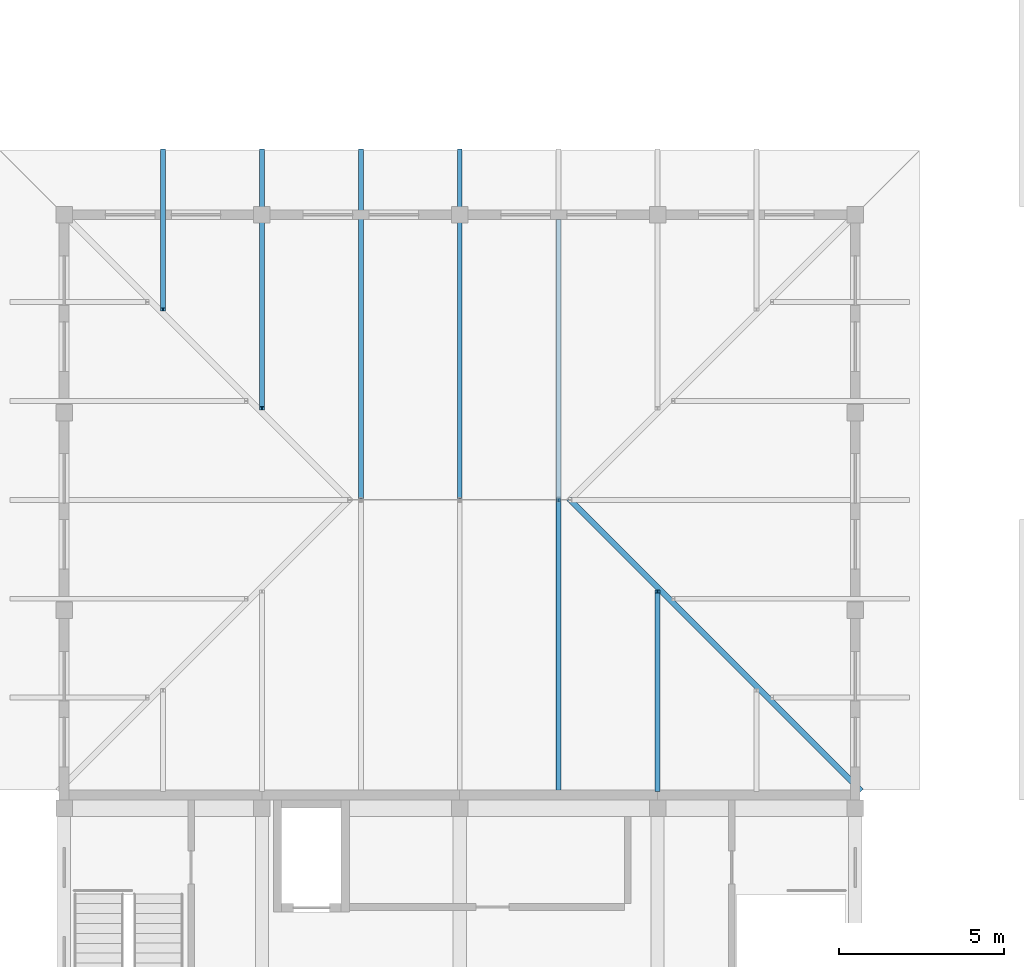
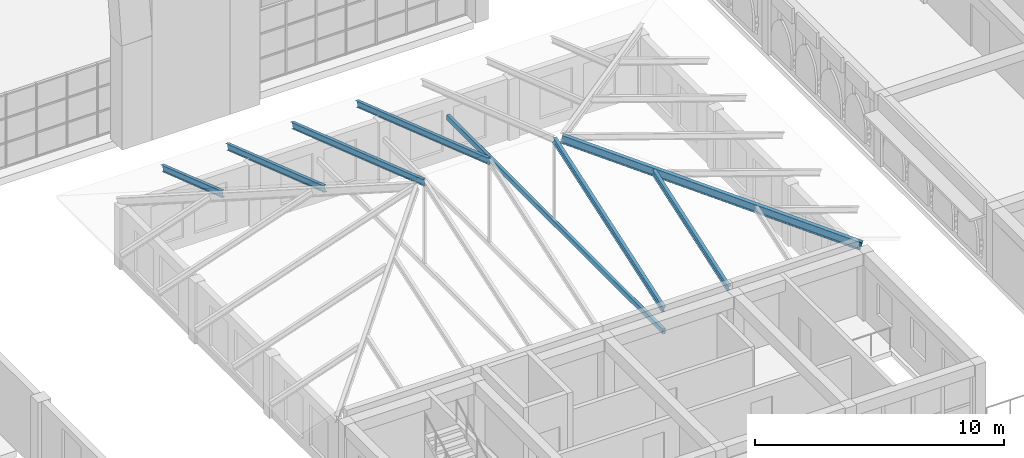
# One storey, part 10 of 82: 8 members.
"""IFC4 building model written with IfcOpenShell, lengths in metres."""

from ifc_helpers import new_model, si_unit, direction, frame, origin, origin_2d, place, context, subcontext, project, spatial, hollow_rectangle, i_section, extrude, material, material_profile, profile_set, type_object, element, save


model = new_model("IFC4")

# Units and contexts
model_context = context("Model", 3, precision=1e-05, world=origin(), true_north=direction((0.0, 1.0)))
body_context = subcontext(model_context, "Body", "Model", "MODEL_VIEW")
ifc_project = project(units=[si_unit("LENGTHUNIT", "METRE"), si_unit("AREAUNIT", "SQUARE_METRE"), si_unit("VOLUMEUNIT", "CUBIC_METRE"), si_unit("PLANEANGLEUNIT", "RADIAN"), si_unit("MASSUNIT", "GRAM", prefix="KILO")], contexts=[model_context])

# Site, building, storey
site_placement = place(None, origin())
site = spatial("IfcSite", under=ifc_project, at=site_placement, CompositionType="ELEMENT")
building_placement = place(site_placement, origin())
building = spatial("IfcBuilding", under=site, at=building_placement, Name="Elbe Cascade School", CompositionType="ELEMENT")
storey_placement = place(building_placement, frame((0.0, 0.0, 4.5)))
storey = spatial("IfcBuildingStorey", under=building, at=storey_placement, Name="L01", CompositionType="ELEMENT", Elevation=4.5)

# Members
ifc_material_1 = material(Name="Steel S355J2", Category="steel")
ifc_material_profile_1 = material_profile(ifc_material_1, i_section(OverallWidth=0.179931640625, OverallDepth=0.39990234375, WebThickness=0.008544921875, FlangeThickness=0.013427734375, FilletRadius=0.02099609375, at=origin_2d()), Name="IPE 400")
ifc_profile_set_1 = profile_set([ifc_material_profile_1], Name="Steel S355J2")
member_type_1 = type_object("IfcMemberType", Name="Dining hip rafter IPE 400", PredefinedType="RAFTER", material=ifc_profile_set_1)
member_1_placement = place(storey_placement, frame((63.14990234375, 15.550048828125, 3.08642578125), z_axis=(-0.687406242097, 0.687425313406, 0.234348238345), x_axis=(-0.707116589921, -0.707096972316, 0.0)))
element("IfcMember", 1, at=member_1_placement, inside=storey, type_object=member_type_1, Name="Dining hip rafter IPE 400 M19", PredefinedType="RAFTER", context=body_context, shape_type="SweptSolid", body=[
    extrude(i_section(OverallWidth=0.179931640625, OverallDepth=0.39990234375, WebThickness=0.008544921875, FlangeThickness=0.013427734375, FilletRadius=0.02099609375, at=origin_2d()), origin(), (0.0, 0.0, 1.0), 12.801513671875),
])
ifc_material_2 = material(Name="Steel S355J2", Category="steel")
ifc_material_profile_2 = material_profile(ifc_material_2, i_section(OverallWidth=0.14990234375, OverallDepth=0.300048828125, WebThickness=0.007080078125, FlangeThickness=0.0107421875, FilletRadius=0.014892578125, at=origin_2d()), Name="IPE 300")
ifc_profile_set_2 = profile_set([ifc_material_profile_2], Name="Steel S355J2")
member_type_2 = type_object("IfcMemberType", Name="Dining roof rafter IPE 300", PredefinedType="RAFTER", material=ifc_profile_set_2)
member_2_placement = place(storey_placement, frame((54.0, 15.550048828125, 3.1513671875), z_axis=(0.0, 0.946510734989, 0.322672323805), x_axis=(-1.0, 0.0, 0.0)))
element("IfcMember", 2, at=member_2_placement, inside=storey, type_object=member_type_2, Name="Dining roof rafter IPE 300 M18", PredefinedType="RAFTER", context=body_context, shape_type="SweptSolid", body=[
    extrude(i_section(OverallWidth=0.14990234375, OverallDepth=0.300048828125, WebThickness=0.007080078125, FlangeThickness=0.0107421875, FilletRadius=0.014892578125, at=origin_2d()), origin(), (0.0, 0.0, 1.0), 9.29736328125),
])
member_3_placement = place(storey_placement, frame((57.0, 15.550048828125, 3.1513671875), z_axis=(0.0, 0.946508856553, 0.322677833865), x_axis=(-1.0, 0.0, 0.0)))
element("IfcMember", 3, at=member_3_placement, inside=storey, type_object=member_type_2, Name="Dining roof rafter IPE 300 M18", PredefinedType="RAFTER", context=body_context, shape_type="SweptSolid", body=[
    extrude(i_section(OverallWidth=0.14990234375, OverallDepth=0.300048828125, WebThickness=0.007080078125, FlangeThickness=0.0107421875, FilletRadius=0.014892578125, at=origin_2d()), origin(), (0.0, 0.0, 1.0), 6.363037109375),
])
member_4_placement = place(storey_placement, frame((42.0, 34.949951171875, 2.53759765625), z_axis=(0.0, -0.946500210188, 0.32270319508), x_axis=(1.0, 0.0, 0.0)))
element("IfcMember", 4, at=member_4_placement, inside=storey, type_object=member_type_2, Name="Dining roof rafter IPE 300 M18", PredefinedType="RAFTER", context=body_context, shape_type="SweptSolid", body=[
    extrude(i_section(OverallWidth=0.14990234375, OverallDepth=0.300048828125, WebThickness=0.007080078125, FlangeThickness=0.0107421875, FilletRadius=0.014892578125, at=origin_2d()), origin(), (0.0, 0.0, 1.0), 5.095458984375),
])
member_5_placement = place(storey_placement, frame((45.0, 34.949951171875, 2.53759765625), z_axis=(0.0, -0.946504856995, 0.322689565502), x_axis=(1.0, 0.0, 0.0)))
element("IfcMember", 5, at=member_5_placement, inside=storey, type_object=member_type_2, Name="Dining roof rafter IPE 300 M18", PredefinedType="RAFTER", context=body_context, shape_type="SweptSolid", body=[
    extrude(i_section(OverallWidth=0.14990234375, OverallDepth=0.300048828125, WebThickness=0.007080078125, FlangeThickness=0.0107421875, FilletRadius=0.014892578125, at=origin_2d()), origin(), (0.0, 0.0, 1.0), 8.264892578125),
])
for number, where, z_axis, x_axis, name in (
    (6, (48.0, 34.949951171875, 2.53759765625), (0.0, -0.946505194467, 0.322688575638), (1.0, 0.0, 0.0), "Dining roof rafter IPE 300 M18"),
    (7, (51.0, 34.949951171875, 2.53759765625), (0.0, -0.946505194467, 0.322688575638), (1.0, 0.0, 0.0), "Dining roof rafter IPE 300 M18"),
):
    element("IfcMember", number, at=place(storey_placement, frame(where, z_axis=z_axis, x_axis=x_axis)), inside=storey, type_object=member_type_2, Name=name, PredefinedType="RAFTER", context=body_context, shape_type="SweptSolid", body=[
        extrude(i_section(OverallWidth=0.14990234375, OverallDepth=0.300048828125, WebThickness=0.007080078125, FlangeThickness=0.0107421875, FilletRadius=0.014892578125, at=origin_2d()), origin(), (0.0, 0.0, 1.0), 11.198974609375),
    ])
ifc_material_3 = material(Name="Steel S355J2H", Category="steel")
ifc_material_profile_3 = material_profile(ifc_material_3, hollow_rectangle(XDim=0.14990234375, YDim=0.25, WallThickness=0.010009765625, InnerFilletRadius=0.010009765625, OuterFilletRadius=0.014892578125, at=origin_2d()), Name="RHS 250x150x10")
ifc_profile_set_3 = profile_set([ifc_material_profile_3], Name="Steel S355J2H")
member_type_3 = type_object("IfcMemberType", Name="Dining truss tie RHS 250x150x10", PredefinedType="USERDEFINED", material=ifc_profile_set_3)
member_6_placement = place(storey_placement, frame((54.0, 15.550048828125, 2.093017578125), z_axis=(0.0, 1.0, 0.0), x_axis=(-1.0, 0.0, 0.0)))
element("IfcMember", 8, at=member_6_placement, inside=storey, type_object=member_type_3, Name="Dining truss tie RHS 250x150x10 M21", ObjectType="TIE", PredefinedType="USERDEFINED", context=body_context, shape_type="SweptSolid", body=[
    extrude(hollow_rectangle(XDim=0.14990234375, YDim=0.25, WallThickness=0.010009765625, InnerFilletRadius=0.010009765625, OuterFilletRadius=0.014892578125, at=origin_2d()), origin(), (0.0, 0.0, 1.0), 17.300048828125),
])

save(model, "model.ifc")
